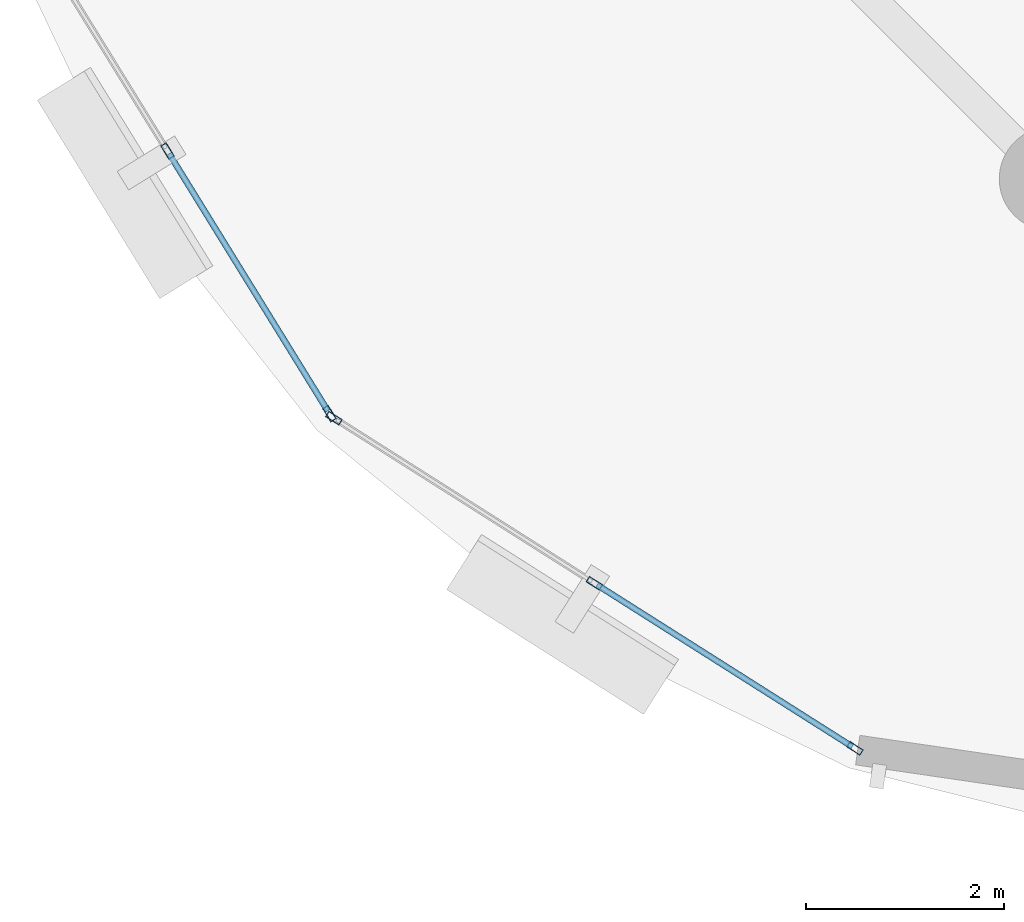
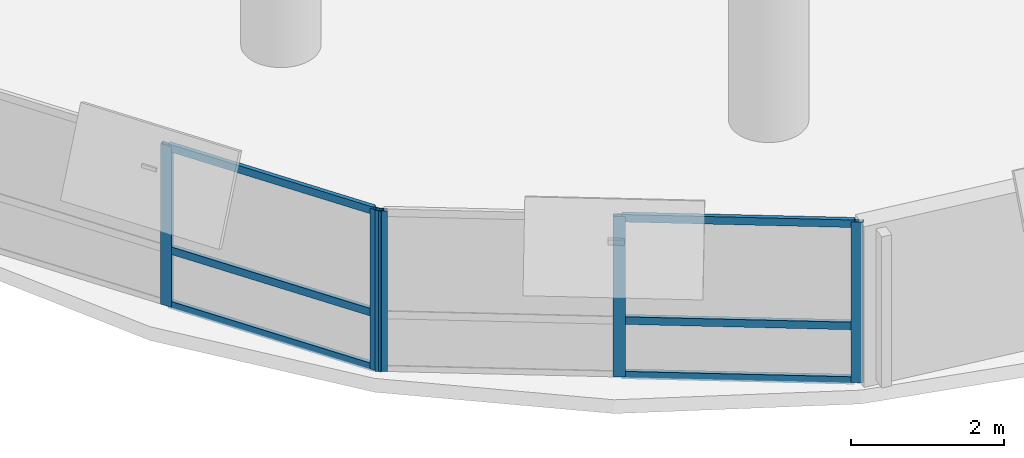
# One storey, part 2 of 12: 11 members, 2 elements without a shape of their own.
"""IFC4 building model written with IfcOpenShell, lengths in metres."""

from ifc_helpers import new_model, si_unit, direction, frame, origin, origin_2d, place, context, subcontext, project, spatial, hollow_rectangle, extrude, material, layer, layer_set, material_profile, profile_set, type_object, element, aggregate, save


model = new_model("IFC4")

# Units and contexts
model_context = context("Model", 3, precision=1e-05, world=origin(), true_north=direction((0.0, 1.0)))
body_context = subcontext(model_context, "Body", "Model", "MODEL_VIEW")
ifc_project = project(units=[si_unit("LENGTHUNIT", "METRE"), si_unit("AREAUNIT", "SQUARE_METRE"), si_unit("VOLUMEUNIT", "CUBIC_METRE"), si_unit("PLANEANGLEUNIT", "RADIAN"), si_unit("MASSUNIT", "GRAM", prefix="KILO"), si_unit("THERMODYNAMICTEMPERATUREUNIT", "KELVIN"), si_unit("POWERUNIT", "WATT")], contexts=[model_context])

# Site, building, storey
site_placement = place(None, origin())
site = spatial("IfcSite", under=ifc_project, at=site_placement, CompositionType="ELEMENT")
building_placement = place(site_placement, origin())
building = spatial("IfcBuilding", under=site, at=building_placement, Name="Ocrelia Relay Tower", CompositionType="ELEMENT")
storey_placement = place(building_placement, frame((0.0, 0.0, 216.800048828125)))
storey = spatial("IfcBuildingStorey", under=building, at=storey_placement, Name="L53", CompositionType="ELEMENT", Elevation=216.800048828125)

# Curtain wall, members
ifc_material_1 = material(Name="Aluminium and solar-control low-E glass", Category="aluminium")
ifc_layer = layer(ifc_material_1, 0.179931640625, Name="Aluminium and solar-control low-E glass")
ifc_layer_set = layer_set([ifc_layer], Name="Aluminium and solar-control low-E glass")
curtain_wall_type = type_object("IfcCurtainWallType", Name="CW-SYS-Z3-CLOU", PredefinedType="NOTDEFINED", material=ifc_layer_set)
curtain_wall_1_placement = place(storey_placement, origin())
curtain_wall_1 = element("IfcCurtainWall", 1, at=curtain_wall_1_placement, inside=storey, type_object=curtain_wall_type, Name="L53 Elliptical Tower Curtain Wall Bay 09", PredefinedType="NOTDEFINED")
ifc_material_2 = material(Name="Anodised bronze aluminium", Category="aluminium")
ifc_material_profile_1 = material_profile(ifc_material_2, hollow_rectangle(XDim=0.06494140625, YDim=0.159912109375, WallThickness=0.0048828125, at=origin_2d()), Name="CW-MUL-160x65")
ifc_profile_set_1 = profile_set([ifc_material_profile_1], Name="Anodised bronze aluminium")
member_type_1 = type_object("IfcMemberType", Name="CW-SYS-Z3-CLOU-MUL", PredefinedType="MULLION", material=ifc_profile_set_1)
member_1_placement = place(storey_placement, frame((15.70361328125, 12.228759765625, 0.0), z_axis=(0.0, 0.0, 1.0), x_axis=(0.851091096154, 0.525018043545, 0.0)))
member_1 = element("IfcMember", 2, at=member_1_placement, type_object=member_type_1, Name="CW-Z3 mullion 2", PredefinedType="MULLION", context=body_context, shape_type="SweptSolid", body=[
    extrude(hollow_rectangle(XDim=0.06494140625, YDim=0.159912109375, WallThickness=0.0048828125, at=origin_2d()), origin(), (0.0, 0.0, 1.0), 2.56005859375),
])
member_2_placement = place(storey_placement, frame((17.3359375, 9.582763671875, 0.0), z_axis=(0.0, 0.0, 1.0), x_axis=(0.851091096154, 0.525018043545, 0.0)))
member_2 = element("IfcMember", 3, at=member_2_placement, type_object=member_type_1, Name="CW-Z3 mullion 3", PredefinedType="MULLION", context=body_context, shape_type="SweptSolid", body=[
    extrude(hollow_rectangle(XDim=0.06494140625, YDim=0.159912109375, WallThickness=0.0048828125, at=origin_2d()), origin(), (0.0, 0.0, 1.0), 2.56005859375),
])

curtain_wall_2_placement = place(storey_placement, origin())
curtain_wall_2 = element("IfcCurtainWall", 4, at=curtain_wall_2_placement, inside=storey, type_object=curtain_wall_type, Name="L53 Elliptical Tower Curtain Wall Bay 10", PredefinedType="NOTDEFINED")
member_3_placement = place(storey_placement, frame((17.38037109375, 9.53759765625, 0.0), z_axis=(0.0, 0.0, 1.0), x_axis=(0.535383370855, 0.844609167729, 0.0)))
member_3 = element("IfcMember", 5, at=member_3_placement, type_object=member_type_1, Name="CW-Z3 mullion 1", PredefinedType="MULLION", context=body_context, shape_type="SweptSolid", body=[
    extrude(hollow_rectangle(XDim=0.06494140625, YDim=0.159912109375, WallThickness=0.0048828125, at=origin_2d()), origin(), (0.0, 0.0, 1.0), 2.56005859375),
])
member_4_placement = place(storey_placement, frame((20.006103515625, 7.873291015625, 0.0), z_axis=(0.0, 0.0, 1.0), x_axis=(0.535383370855, 0.844609167729, 0.0)))
member_4 = element("IfcMember", 6, at=member_4_placement, type_object=member_type_1, Name="CW-Z3 mullion 2", PredefinedType="MULLION", context=body_context, shape_type="SweptSolid", body=[
    extrude(hollow_rectangle(XDim=0.06494140625, YDim=0.159912109375, WallThickness=0.0048828125, at=origin_2d()), origin(), (0.0, 0.0, 1.0), 2.56005859375),
])
member_5_placement = place(storey_placement, frame((22.6318359375, 6.208740234375, 0.0), z_axis=(0.0, 0.0, 1.0), x_axis=(0.535383370855, 0.844609167729, 0.0)))
member_5 = element("IfcMember", 7, at=member_5_placement, type_object=member_type_1, Name="CW-Z3 mullion 3", PredefinedType="MULLION", context=body_context, shape_type="SweptSolid", body=[
    extrude(hollow_rectangle(XDim=0.06494140625, YDim=0.159912109375, WallThickness=0.0048828125, at=origin_2d()), origin(), (0.0, 0.0, 1.0), 2.56005859375),
])

# Member
ifc_material_profile_2 = material_profile(ifc_material_2, hollow_rectangle(XDim=0.06005859375, YDim=0.1201171875, WallThickness=0.0048828125, at=origin_2d()), Name="CW-TRN-120x60")
ifc_profile_set_2 = profile_set([ifc_material_profile_2], Name="Anodised bronze aluminium")
member_type_2 = type_object("IfcMemberType", Name="CW-SYS-Z3-CLOU-TRN", PredefinedType="USERDEFINED", material=ifc_profile_set_2)
member_6_placement = place(storey_placement, frame((15.720703125, 12.200927734375, 0.030029296875), z_axis=(0.525036874326, -0.851079479601, 0.0), x_axis=(0.851079479601, 0.525036874326, 0.0)))
member_6 = element("IfcMember", 8, at=member_6_placement, type_object=member_type_2, Name="CW-Z3 transom 2.1", ObjectType="TRANSOM", PredefinedType="USERDEFINED", context=body_context, shape_type="SweptSolid", body=[
    extrude(hollow_rectangle(XDim=0.06005859375, YDim=0.1201171875, WallThickness=0.0048828125, at=origin_2d()), origin(), (0.0, 0.0, 1.0), 3.0439453125),
])

member_7_placement = place(storey_placement, frame((15.720703125, 12.200927734375, 0.89990234375), z_axis=(0.525036874326, -0.851079479601, 0.0), x_axis=(0.851079479601, 0.525036874326, 0.0)))
member_7 = element("IfcMember", 9, at=member_7_placement, type_object=member_type_2, Name="CW-Z3 transom 2.2", ObjectType="TRANSOM", PredefinedType="USERDEFINED", context=body_context, shape_type="SweptSolid", body=[
    extrude(hollow_rectangle(XDim=0.06005859375, YDim=0.1201171875, WallThickness=0.0048828125, at=origin_2d()), origin(), (0.0, 0.0, 1.0), 3.0439453125),
])

member_8_placement = place(storey_placement, frame((15.720703125, 12.200927734375, 2.530029296875), z_axis=(0.525036874326, -0.851079479601, 0.0), x_axis=(0.851079479601, 0.525036874326, 0.0)))
member_8 = element("IfcMember", 10, at=member_8_placement, type_object=member_type_2, Name="CW-Z3 transom 2.3", ObjectType="TRANSOM", PredefinedType="USERDEFINED", context=body_context, shape_type="SweptSolid", body=[
    extrude(hollow_rectangle(XDim=0.06005859375, YDim=0.1201171875, WallThickness=0.0048828125, at=origin_2d()), origin(), (0.0, 0.0, 1.0), 3.0439453125),
])

aggregate(curtain_wall_1, [member_1, member_2, member_6, member_7, member_8])

member_9_placement = place(storey_placement, frame((20.03369140625, 7.85595703125, 0.030029296875), z_axis=(0.844601468055, -0.5353955175, 0.0), x_axis=(0.5353955175, 0.844601468055, 0.0)))
member_9 = element("IfcMember", 11, at=member_9_placement, type_object=member_type_2, Name="CW-Z3 transom 2.1", ObjectType="TRANSOM", PredefinedType="USERDEFINED", context=body_context, shape_type="SweptSolid", body=[
    extrude(hollow_rectangle(XDim=0.06005859375, YDim=0.1201171875, WallThickness=0.0048828125, at=origin_2d()), origin(), (0.0, 0.0, 1.0), 3.043701171875),
])

member_10_placement = place(storey_placement, frame((20.03369140625, 7.85595703125, 0.89990234375), z_axis=(0.844601468055, -0.5353955175, 0.0), x_axis=(0.5353955175, 0.844601468055, 0.0)))
member_10 = element("IfcMember", 12, at=member_10_placement, type_object=member_type_2, Name="CW-Z3 transom 2.2", ObjectType="TRANSOM", PredefinedType="USERDEFINED", context=body_context, shape_type="SweptSolid", body=[
    extrude(hollow_rectangle(XDim=0.06005859375, YDim=0.1201171875, WallThickness=0.0048828125, at=origin_2d()), origin(), (0.0, 0.0, 1.0), 3.043701171875),
])

member_11_placement = place(storey_placement, frame((20.03369140625, 7.85595703125, 2.530029296875), z_axis=(0.844601468055, -0.5353955175, 0.0), x_axis=(0.5353955175, 0.844601468055, 0.0)))
member_11 = element("IfcMember", 13, at=member_11_placement, type_object=member_type_2, Name="CW-Z3 transom 2.3", ObjectType="TRANSOM", PredefinedType="USERDEFINED", context=body_context, shape_type="SweptSolid", body=[
    extrude(hollow_rectangle(XDim=0.06005859375, YDim=0.1201171875, WallThickness=0.0048828125, at=origin_2d()), origin(), (0.0, 0.0, 1.0), 3.043701171875),
])

aggregate(curtain_wall_2, [member_3, member_4, member_5, member_9, member_10, member_11])

save(model, "model.ifc")
